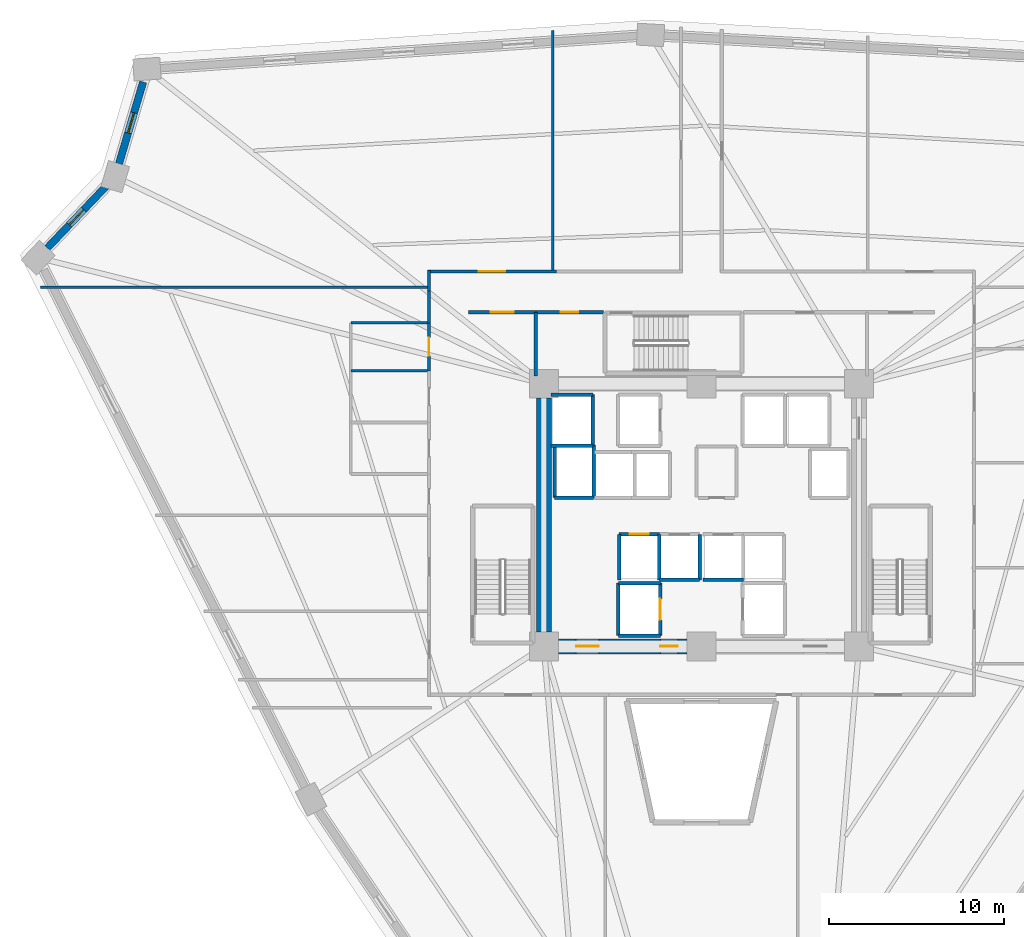
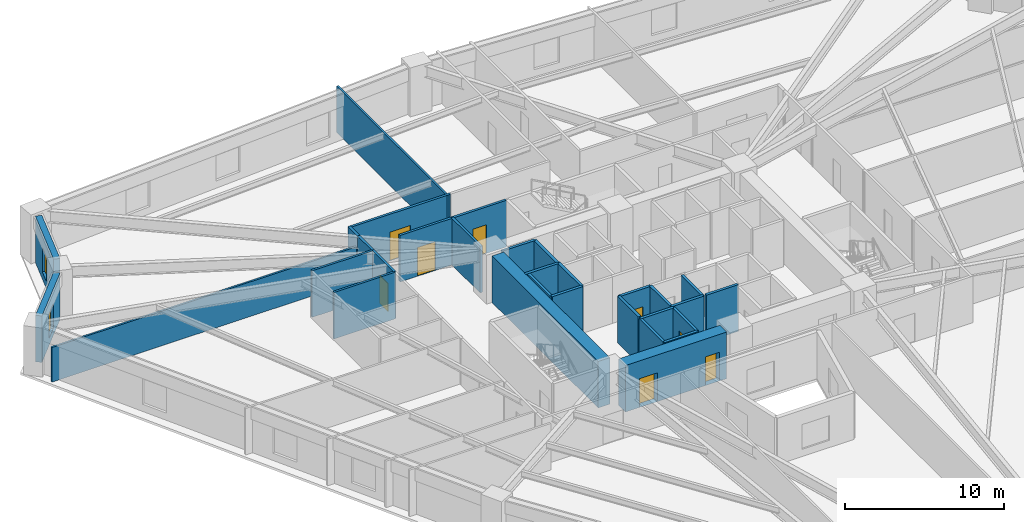
# One storey, part 4 of 8: 31 walls, 8 doors, 2 windows, 10 openings.
"""IFC4 building model written with IfcOpenShell, lengths in metres."""

import ifcopenshell
import ifcopenshell.guid

model = None  # the IFC model being written
_history = None  # IfcOwnerHistory: only IFC2X3 demands one
_inside = {}  # id of a spatial element -> (the spatial element, [elements in it])
_under = {}  # id of a project, library or spatial element -> (it, [spatial elements below it])
_declared = {}  # id of a project -> (the project, [libraries it declares])
_typed = {}  # id of a type object -> (the type object, [elements of that type])
_made_of = {}  # id of a material, layer set ... -> (it, [elements and type objects made of it])


def new_model(schema):
    """Start an empty IFC model of exactly this schema.

    Asked for "IFC4X3", IfcOpenShell would pick the latest addendum, in which some entities
    have other attributes; the version numbers below select the first issue.
    IFC2X3 requires an IfcOwnerHistory on every rooted entity: one is made here for all.
    """
    global model, _history
    if schema == "IFC4X3":
        model = ifcopenshell.file(schema_version=(4, 3, 0, 0))
    else:
        model = ifcopenshell.file(schema=schema)
    _inside.clear()
    _under.clear()
    _declared.clear()
    _typed.clear()
    _made_of.clear()
    _history = None
    if model.schema == "IFC2X3":
        org = make("IfcOrganization", Name="unknown")
        user = make(
            "IfcPersonAndOrganization",
            ThePerson=make("IfcPerson", FamilyName="unknown"),
            TheOrganization=org,
        )
        app = make(
            "IfcApplication",
            ApplicationDeveloper=org,
            Version="unknown",
            ApplicationFullName="unknown",
            ApplicationIdentifier="unknown",
        )
        _history = make(
            "IfcOwnerHistory",
            OwningUser=user,
            OwningApplication=app,
            ChangeAction="ADDED",
            CreationDate=0,
        )
    return model


def make(cls, **values):
    """One entity of the class cls with the attributes given. An attribute that is None is left unset."""
    return model.create_entity(
        cls, **{name: value for name, value in values.items() if value is not None}
    )


def rooted(cls, **values):
    """An entity with a GlobalId (a new one), such as an element, a storey or a relation."""
    return make(cls, GlobalId=ifcopenshell.guid.new(), OwnerHistory=_history, **values)


def si_unit(unit_type, name, prefix=None):
    """IfcSIUnit, for example si_unit("LENGTHUNIT", "METRE", prefix="MILLI")."""
    return make("IfcSIUnit", UnitType=unit_type, Prefix=prefix, Name=name)


def assignment(units):
    """IfcUnitAssignment: the units of a project."""
    return None if units is None else make("IfcUnitAssignment", Units=units)


def point(xyz):
    """IfcCartesianPoint."""
    return None if xyz is None else make("IfcCartesianPoint", Coordinates=xyz)


def direction(xyz):
    """IfcDirection."""
    return None if xyz is None else make("IfcDirection", DirectionRatios=xyz)


def frame(location, z_axis=None, x_axis=None):
    """IfcAxis2Placement3D, a coordinate frame: its origin and axes. An axis left out is left unset."""
    return make(
        "IfcAxis2Placement3D",
        Location=point(location),
        Axis=direction(z_axis),
        RefDirection=direction(x_axis),
    )


def frame_2d(location, x_axis=None):
    """IfcAxis2Placement2D, a coordinate frame in the plane: its origin and x axis."""
    return make(
        "IfcAxis2Placement2D", Location=point(location), RefDirection=direction(x_axis)
    )


def origin():
    """The frame at (0, 0, 0) with its axes left unset."""
    return frame((0.0, 0.0, 0.0))


def place(relative_to, where):
    """IfcLocalPlacement: puts the frame where relative to a parent placement (None: the world)."""
    return make(
        "IfcLocalPlacement", PlacementRelTo=relative_to, RelativePlacement=where
    )


def context(
    kind, dimensions, precision=None, world=None, true_north=None, identifier=None
):
    """IfcGeometricRepresentationContext, for example the 3D "Model" context."""
    return make(
        "IfcGeometricRepresentationContext",
        ContextIdentifier=identifier,
        ContextType=kind,
        CoordinateSpaceDimension=dimensions,
        Precision=precision,
        WorldCoordinateSystem=world,
        TrueNorth=true_north,
    )


def subcontext(parent, identifier, kind, view, scale=None):
    """IfcGeometricRepresentationSubContext, for example "Body" below "Model"."""
    return make(
        "IfcGeometricRepresentationSubContext",
        ContextIdentifier=identifier,
        ContextType=kind,
        ParentContext=parent,
        TargetScale=scale,
        TargetView=view,
    )


def project(units=None, contexts=None):
    """IfcProject with its units and contexts."""
    return rooted(
        "IfcProject",
        Name="project",
        RepresentationContexts=contexts,
        UnitsInContext=assignment(units),
    )


def spatial(cls, under=None, at=None, **own):
    """A site, building, storey or space (cls), placed at a placement, below another one or the project."""
    s = rooted(cls, ObjectPlacement=at, **own)
    if under is not None:
        _under.setdefault(under.id(), (under, []))[1].append(s)
    return s


def profile(cls, at=None, kind="AREA", **sizes):
    """A parametric profile (cls). Its sizes go by their IFC names, for example OverallWidth=200.0."""
    return make(cls, ProfileType=kind, Position=at, **sizes)


def rectangle(**sizes):
    """IfcRectangleProfileDef."""
    return profile("IfcRectangleProfileDef", **sizes)


def extrude(swept, where, along, depth):
    """IfcExtrudedAreaSolid: the profile swept, set in the frame where, extruded along a direction by depth."""
    return make(
        "IfcExtrudedAreaSolid",
        SweptArea=swept,
        Position=where,
        ExtrudedDirection=direction(along),
        Depth=depth,
    )


def shape(context_of_items, identifier, shape_type, items):
    """IfcShapeRepresentation: the items that make up one representation, for example the "Body"."""
    return make(
        "IfcShapeRepresentation",
        ContextOfItems=context_of_items,
        RepresentationIdentifier=identifier,
        RepresentationType=shape_type,
        Items=items,
    )


def source(mapping_origin, context_of_items, identifier, shape_type, items):
    """IfcRepresentationMap: a shape defined once, which mapped items show again and again."""
    return make(
        "IfcRepresentationMap",
        MappingOrigin=mapping_origin,
        MappedRepresentation=shape(context_of_items, identifier, shape_type, items),
    )


def transform(
    local_origin,
    x_axis=None,
    y_axis=None,
    z_axis=None,
    scale=None,
    scale2=None,
    scale3=None,
    uniform=True,
):
    """IfcCartesianTransformationOperator3D, or its non-uniform kind. x_axis, y_axis, z_axis: its Axis1, 2, 3."""
    if uniform:
        return make(
            "IfcCartesianTransformationOperator3D",
            Axis1=direction(x_axis),
            Axis2=direction(y_axis),
            LocalOrigin=point(local_origin),
            Scale=scale,
            Axis3=direction(z_axis),
        )
    return make(
        "IfcCartesianTransformationOperator3DnonUniform",
        Axis1=direction(x_axis),
        Axis2=direction(y_axis),
        LocalOrigin=point(local_origin),
        Scale=scale,
        Axis3=direction(z_axis),
        Scale2=scale2,
        Scale3=scale3,
    )


def mapped(mapping_source, mapping_target):
    """IfcMappedItem: shows the shape of a source again, moved by a transform."""
    return make(
        "IfcMappedItem", MappingSource=mapping_source, MappingTarget=mapping_target
    )


def material(Name=None, Category=None):
    """IfcMaterial."""
    return make("IfcMaterial", Name=Name, Category=Category)


def layer(
    of_material, thickness, ventilated=None, Name=None, Category=None, Priority=None
):
    """IfcMaterialLayer: one layer of a wall or slab, of a material (None: an air gap)."""
    return make(
        "IfcMaterialLayer",
        Material=of_material,
        LayerThickness=thickness,
        IsVentilated=ventilated,
        Name=Name,
        Category=Category,
        Priority=Priority,
    )


def layer_set(layers, Name=None):
    """IfcMaterialLayerSet."""
    return make("IfcMaterialLayerSet", MaterialLayers=layers, LayerSetName=Name)


def made_of(thing, what):
    """Note that an element or type object is made of a material, layer set ...; save() writes the relation."""
    if what is not None:
        _made_of.setdefault(what.id(), (what, []))[1].append(thing)
    return thing


def type_object(cls, material=None, **own):
    """A type object (cls), such as IfcWallType, which elements share."""
    return made_of(rooted(cls, **own), material)


def element(
    cls,
    number,
    at=None,
    inside=None,
    cuts=None,
    type_object=None,
    material=None,
    context=None,
    identifier="Body",
    shape_type=None,
    held_by="IfcProductDefinitionShape",
    body=None,
    shapes=None,
    **own,
):
    """One element of the class cls, such as IfcWall. Its Tag is "e" and its number.

    at: its placement. inside: the storey or other place that contains it. cuts: it is an
    opening in that element (IfcRelVoidsElement). A single representation is given by context,
    identifier, shape_type and body (its items); several are given by shapes. held_by: the class
    of the entity that holds the representations. save() writes the other relations.
    """
    e = rooted(cls, Tag="e%d" % number, ObjectPlacement=at, **own)
    if body is not None:
        shapes = [shape(context, identifier, shape_type, body)]
    if shapes is not None:
        e.Representation = make(held_by, Representations=shapes)
    if inside is not None:
        _inside.setdefault(inside.id(), (inside, []))[1].append(e)
    if cuts is not None:
        rooted(
            "IfcRelVoidsElement", RelatingBuildingElement=cuts, RelatedOpeningElement=e
        )
    if type_object is not None:
        _typed.setdefault(type_object.id(), (type_object, []))[1].append(e)
    return made_of(e, material)


def fill(opening, filler):
    """IfcRelFillsElement: the door or window that sits in an opening."""
    return rooted(
        "IfcRelFillsElement",
        RelatingOpeningElement=opening,
        RelatedBuildingElement=filler,
    )


def aggregate(whole, parts):
    """IfcRelAggregates: a whole, such as a stair, and the parts it consists of."""
    return rooted("IfcRelAggregates", RelatingObject=whole, RelatedObjects=parts)


def save(model, path):
    """Write the relations noted so far, then the file.

    IfcRelAggregates (storeys below a building ...), IfcRelContainedInSpatialStructure (elements
    in a storey), IfcRelDefinesByType, IfcRelAssociatesMaterial and IfcRelDeclares: one each for
    every whole, place, type object, material and project.
    """
    for whole, parts in _under.values():
        aggregate(whole, parts)
    for where, things in _inside.values():
        rooted(
            "IfcRelContainedInSpatialStructure",
            RelatedElements=things,
            RelatingStructure=where,
        )
    for kind, things in _typed.values():
        rooted("IfcRelDefinesByType", RelatedObjects=things, RelatingType=kind)
    for what, things in _made_of.values():
        rooted("IfcRelAssociatesMaterial", RelatedObjects=things, RelatingMaterial=what)
    for by, libraries in _declared.values():
        rooted("IfcRelDeclares", RelatingContext=by, RelatedDefinitions=libraries)
    model.write(path)


model = new_model("IFC4")

# Units and contexts
model_context = context("Model", 3, precision=1e-05, world=origin(), true_north=direction((0.0, 1.0)))
body_context = subcontext(model_context, "Body", "Model", "MODEL_VIEW")
ifc_project = project(units=[si_unit("LENGTHUNIT", "METRE"), si_unit("AREAUNIT", "SQUARE_METRE"), si_unit("VOLUMEUNIT", "CUBIC_METRE"), si_unit("PLANEANGLEUNIT", "RADIAN"), si_unit("MASSUNIT", "GRAM", prefix="KILO")], contexts=[model_context])

# Site, building, storey
site_placement = place(None, origin())
site = spatial("IfcSite", under=ifc_project, at=site_placement, CompositionType="ELEMENT")
building_placement = place(site_placement, origin())
building = spatial("IfcBuilding", under=site, at=building_placement, Name="Liaohun Quay Tower", CompositionType="ELEMENT")
storey_placement = place(building_placement, frame((0.0, 0.0, 78.0)))
storey = spatial("IfcBuildingStorey", under=building, at=storey_placement, Name="L20", CompositionType="ELEMENT", Elevation=78.0)

# Wall, openings, doors
ifc_material_1 = material(Name="Concrete C60", Category="concrete")
ifc_layer_1 = layer(ifc_material_1, 0.85009765625, Name="Concrete C60", Category="concrete")
ifc_layer_set_1 = layer_set([ifc_layer_1], Name="Concrete C60")
wall_type_1 = type_object("IfcWallType", Name="WAL-COR-Z1", PredefinedType="SHEAR", material=ifc_layer_set_1)
wall_1_placement = place(storey_placement, frame((59.175048828125, 46.5, 0.0), z_axis=(0.0, 0.0, 1.0), x_axis=(-1.0, 0.0, 0.0)))
wall_1 = element("IfcWall", 1, at=wall_1_placement, inside=storey, type_object=wall_type_1, Name="L20 Central Core Shear Wall S-W", PredefinedType="SHEAR", context=body_context, shape_type="SweptSolid", body=[
    extrude(rectangle(XDim=7.35009765625, YDim=0.85009765625, at=frame_2d((3.675048828125, 0.0))), origin(), (0.0, 0.0, 1.0), 3.570068359375),
])
shared_shape_1 = source(origin(), body_context, "Body", "SweptSolid", [
    extrude(rectangle(XDim=1.300048828125, YDim=2.199951171875, at=frame_2d((0.64990234375, 1.10009765625))), frame((0.0, 0.43505859375, 0.0), z_axis=(0.0, -1.0, 0.0), x_axis=(1.0, 0.0, 0.0)), (0.0, 0.0, 1.0), 0.8701171875),
])
opening_1_placement = place(wall_1_placement, frame((5.02490234375, 0.0, 0.0)))
opening_1 = element("IfcOpeningElement", 2, at=opening_1_placement, cuts=wall_1, Name="Opening FD1", PredefinedType="OPENING", context=body_context, shape_type="MappedRepresentation", body=[
    mapped(shared_shape_1, transform((0.0, 0.0, 0.0), x_axis=(1.0, 0.0, 0.0), y_axis=(0.0, 1.0, 0.0), z_axis=(0.0, 0.0, 1.0), scale=1.0)),
])
shared_shape_2 = source(origin(), body_context, "Body", "SweptSolid", [
    extrude(rectangle(XDim=1.0, YDim=2.199951171875, at=frame_2d((0.5, 1.10009765625))), frame((0.0, 0.43505859375, 0.0), z_axis=(0.0, -1.0, 0.0), x_axis=(1.0, 0.0, 0.0)), (0.0, 0.0, 1.0), 0.8701171875),
])
opening_2_placement = place(wall_1_placement, frame((0.52490234375, 0.0, 0.0)))
opening_2 = element("IfcOpeningElement", 3, at=opening_2_placement, cuts=wall_1, Name="Opening FD2", PredefinedType="OPENING", context=body_context, shape_type="MappedRepresentation", body=[
    mapped(shared_shape_2, transform((0.0, 0.0, 0.0), x_axis=(1.0, 0.0, 0.0), y_axis=(0.0, 1.0, 0.0), z_axis=(0.0, 0.0, 1.0), scale=1.0)),
])
ifc_material_2 = material(Name="Galvanised steel smokeproof fire door", Category="steel")
door_type_1 = type_object("IfcDoorType", Name="DOR-FFL-1300", OperationType="NOTDEFINED", PredefinedType="DOOR", material=ifc_material_2)
shared_shape_3 = source(origin(), body_context, "Body", "SweptSolid", [
    extrude(rectangle(XDim=1.300048828125, YDim=2.199951171875, at=frame_2d((0.64990234375, 1.10009765625))), frame((0.0, 0.02490234375, 0.0), z_axis=(0.0, -1.0, 0.0), x_axis=(1.0, 0.0, 0.0)), (0.0, 0.0, 1.0), 0.050048828125),
])
door_1_placement = place(opening_1_placement, origin())
door_1 = element("IfcDoor", 4, at=door_1_placement, inside=storey, type_object=door_type_1, Name="L20 West Core Lift Lobby Smokeproof Door", OperationType="SINGLE_SWING_RIGHT", OverallHeight=2.199951171875, OverallWidth=1.300048828125, PredefinedType="DOOR", context=body_context, shape_type="MappedRepresentation", body=[
    mapped(shared_shape_3, transform((0.0, 0.0, 0.0), x_axis=(1.0, 0.0, 0.0), y_axis=(0.0, 1.0, 0.0), z_axis=(0.0, 0.0, 1.0), scale=1.0)),
])
fill(opening_1, door_1)
ifc_material_3 = material(Name="Galvanised steel smokeproof lobby fire door", Category="steel")
door_type_2 = type_object("IfcDoorType", Name="DOR-FFL-1000", OperationType="NOTDEFINED", PredefinedType="DOOR", material=ifc_material_3)
shared_shape_4 = source(origin(), body_context, "Body", "SweptSolid", [
    extrude(rectangle(XDim=1.0, YDim=2.199951171875, at=frame_2d((0.5, 1.10009765625))), frame((0.0, 0.02490234375, 0.0), z_axis=(0.0, -1.0, 0.0), x_axis=(1.0, 0.0, 0.0)), (0.0, 0.0, 1.0), 0.050048828125),
])
door_2_placement = place(opening_2_placement, origin())
door_2 = element("IfcDoor", 5, at=door_2_placement, inside=storey, type_object=door_type_2, Name="L20 South Firefighting Lobby Smokeproof Door", OperationType="SINGLE_SWING_LEFT", OverallHeight=2.199951171875, OverallWidth=1.0, PredefinedType="DOOR", context=body_context, shape_type="MappedRepresentation", body=[
    mapped(shared_shape_4, transform((0.0, 0.0, 0.0), x_axis=(1.0, 0.0, 0.0), y_axis=(0.0, 1.0, 0.0), z_axis=(0.0, 0.0, 1.0), scale=1.0)),
])
fill(opening_2, door_2)

# Wall
wall_2_placement = place(storey_placement, frame((51.0, 47.324951171875, 0.0), z_axis=(0.0, 0.0, 1.0), x_axis=(0.0, 1.0, 0.0)))
element("IfcWall", 6, at=wall_2_placement, inside=storey, type_object=wall_type_1, Name="L20 Central Core Shear Wall W", PredefinedType="SHEAR", context=body_context, shape_type="SweptSolid", body=[
    extrude(rectangle(XDim=13.35009765625, YDim=0.85009765625, at=frame_2d((6.675048828125, 0.0))), origin(), (0.0, 0.0, 1.0), 3.570068359375),
])

# Wall, opening, window
ifc_material_4 = material(Name="Precast concrete C50 insulated sandwich", Category="concrete")
ifc_layer_2 = layer(ifc_material_4, 0.419921875, Name="Precast concrete C50 insulated sandwich", Category="concrete")
ifc_layer_set_2 = layer_set([ifc_layer_2], Name="Precast concrete C50 insulated sandwich")
wall_type_2 = type_object("IfcWallType", Name="WAL-EXT-Z12", PredefinedType="SOLIDWALL", material=ifc_layer_set_2)
wall_3_placement = place(storey_placement, frame((28.1201171875, 78.73291015625, 0.0), z_axis=(0.0, 0.0, 1.0), x_axis=(-0.282885215884, -0.959153770067, 0.0)))
wall_3 = element("IfcWall", 7, at=wall_3_placement, inside=storey, type_object=wall_type_2, Name="L20 Brutalist Precast Pier Wall 08", PredefinedType="SOLIDWALL", context=body_context, shape_type="SweptSolid", body=[
    extrude(rectangle(XDim=4.871826171875, YDim=0.419921875, at=frame_2d((2.43603515625, 0.0))), origin(), (0.0, 0.0, 1.0), 3.570068359375),
])
shared_shape_5 = source(origin(), body_context, "Body", "SweptSolid", [
    extrude(rectangle(XDim=1.199951171875, YDim=1.89990234375, at=frame_2d((0.60009765625, 0.949951171875))), frame((0.0, 0.219970703125, 0.0), z_axis=(0.0, -1.0, 0.0), x_axis=(1.0, 0.0, 0.0)), (0.0, 0.0, 1.0), 0.43994140625),
])
opening_3_placement = place(wall_3_placement, frame((1.8359375, 0.0, 0.550048828125)))
opening_3 = element("IfcOpeningElement", 8, at=opening_3_placement, cuts=wall_3, Name="Opening W05", PredefinedType="OPENING", context=body_context, shape_type="MappedRepresentation", body=[
    mapped(shared_shape_5, transform((0.0, 0.0, 0.0), x_axis=(1.0, 0.0, 0.0), y_axis=(0.0, 1.0, 0.0), z_axis=(0.0, 0.0, 1.0), scale=1.0)),
])
ifc_material_5 = material(Name="Triple Low-E corner notch glazing", Category="glass")
window_type = type_object("IfcWindowType", Name="WIN-NOTCH", PartitioningType="SINGLE_PANEL", PredefinedType="WINDOW", material=ifc_material_5)
shared_shape_6 = source(origin(), body_context, "Body", "SweptSolid", [
    extrude(rectangle(XDim=1.199951171875, YDim=1.89990234375, at=frame_2d((0.60009765625, 0.949951171875))), frame((0.0, 0.030029296875, 0.0), z_axis=(0.0, -1.0, 0.0), x_axis=(1.0, 0.0, 0.0)), (0.0, 0.0, 1.0), 0.06005859375),
])
window_1_placement = place(opening_3_placement, origin())
window_1 = element("IfcWindow", 9, at=window_1_placement, inside=storey, type_object=window_type, Name="L20 Corner Notch Window W05-08", OverallHeight=1.89990234375, OverallWidth=1.199951171875, PartitioningType="SINGLE_PANEL", PredefinedType="WINDOW", context=body_context, shape_type="MappedRepresentation", body=[
    mapped(shared_shape_6, transform((0.0, 0.0, 0.0), x_axis=(1.0, 0.0, 0.0), y_axis=(0.0, 1.0, 0.0), z_axis=(0.0, 0.0, 1.0), scale=1.0)),
])
fill(opening_3, window_1)

wall_4_placement = place(storey_placement, frame((25.9990234375, 72.77197265625, 0.0), z_axis=(0.0, 0.0, 1.0), x_axis=(-0.689326835279, -0.724450491175, 0.0)))
wall_4 = element("IfcWall", 10, at=wall_4_placement, inside=storey, type_object=wall_type_2, Name="L20 Brutalist Precast Pier Wall 09", PredefinedType="SOLIDWALL", context=body_context, shape_type="SweptSolid", body=[
    extrude(rectangle(XDim=4.86572265625, YDim=0.419921875, at=frame_2d((2.432861328125, 0.0))), origin(), (0.0, 0.0, 1.0), 3.570068359375),
])
opening_4_placement = place(wall_4_placement, frame((1.8330078125, 0.0, 0.550048828125)))
opening_4 = element("IfcOpeningElement", 11, at=opening_4_placement, cuts=wall_4, Name="Opening W05", PredefinedType="OPENING", context=body_context, shape_type="MappedRepresentation", body=[
    mapped(shared_shape_5, transform((0.0, 0.0, 0.0), x_axis=(1.0, 0.0, 0.0), y_axis=(0.0, 1.0, 0.0), z_axis=(0.0, 0.0, 1.0), scale=1.0)),
])
window_2_placement = place(opening_4_placement, origin())
window_2 = element("IfcWindow", 12, at=window_2_placement, inside=storey, type_object=window_type, Name="L20 Corner Notch Window W05-09", OverallHeight=1.89990234375, OverallWidth=1.199951171875, PartitioningType="SINGLE_PANEL", PredefinedType="WINDOW", context=body_context, shape_type="MappedRepresentation", body=[
    mapped(shared_shape_6, transform((0.0, 0.0, 0.0), x_axis=(1.0, 0.0, 0.0), y_axis=(0.0, 1.0, 0.0), z_axis=(0.0, 0.0, 1.0), scale=1.0)),
])
fill(opening_4, window_2)

# Wall, opening, door
ifc_material_6 = material(Name="Autoclaved aerated concrete blockwork", Category="masonry")
ifc_layer_3 = layer(ifc_material_6, 0.179931640625, Name="Autoclaved aerated concrete blockwork", Category="masonry")
ifc_layer_set_3 = layer_set([ifc_layer_3], Name="Autoclaved aerated concrete blockwork")
wall_type_3 = type_object("IfcWallType", Name="WAL-PRT-COR", PredefinedType="PARTITIONING", material=ifc_layer_set_3)
wall_5_placement = place(storey_placement, frame((50.5400390625, 65.580078125, 0.0), z_axis=(0.0, 0.0, 1.0), x_axis=(1.0, 0.0, 0.0)))
wall_5 = element("IfcWall", 13, at=wall_5_placement, inside=storey, type_object=wall_type_3, Name="L20 Interior Partition Wall 005", PredefinedType="PARTITIONING", context=body_context, shape_type="SweptSolid", body=[
    extrude(rectangle(XDim=3.869873046875, YDim=0.179931640625, at=frame_2d((1.93505859375, 0.0))), origin(), (0.0, 0.0, 1.0), 3.570068359375),
])
shared_shape_7 = source(origin(), body_context, "Body", "SweptSolid", [
    extrude(rectangle(XDim=1.0, YDim=2.199951171875, at=frame_2d((0.5, 1.10009765625))), frame((0.0, 0.099853515625, 0.0), z_axis=(0.0, -1.0, 0.0), x_axis=(1.0, 0.0, 0.0)), (0.0, 0.0, 1.0), 0.199951171875),
])
opening_5_placement = place(wall_5_placement, frame((1.43505859375, 0.0, 0.0)))
opening_5 = element("IfcOpeningElement", 14, at=opening_5_placement, cuts=wall_5, Name="Opening OD1", PredefinedType="OPENING", context=body_context, shape_type="MappedRepresentation", body=[
    mapped(shared_shape_7, transform((0.0, 0.0, 0.0), x_axis=(1.0, 0.0, 0.0), y_axis=(0.0, 1.0, 0.0), z_axis=(0.0, 0.0, 1.0), scale=1.0)),
])
ifc_material_7 = material(Name="Solid-core oak veneer timber leaf in steel frame", Category="steel")
door_type_3 = type_object("IfcDoorType", Name="DOR-OFF-1000", OperationType="NOTDEFINED", PredefinedType="DOOR", material=ifc_material_7)
door_3_placement = place(opening_5_placement, origin())
door_3 = element("IfcDoor", 15, at=door_3_placement, inside=storey, type_object=door_type_3, Name="L20 North-West Print and Telecom Room Door", OperationType="SINGLE_SWING_LEFT", OverallHeight=2.199951171875, OverallWidth=1.0, PredefinedType="DOOR", context=body_context, shape_type="MappedRepresentation", body=[
    mapped(shared_shape_4, transform((0.0, 0.0, 0.0), x_axis=(1.0, 0.0, 0.0), y_axis=(0.0, 1.0, 0.0), z_axis=(0.0, 0.0, 1.0), scale=1.0)),
])
fill(opening_5, door_3)

wall_6_placement = place(storey_placement, frame((46.699951171875, 65.580078125, 0.0), z_axis=(0.0, 0.0, 1.0), x_axis=(1.0, 0.0, 0.0)))
wall_6 = element("IfcWall", 16, at=wall_6_placement, inside=storey, type_object=wall_type_3, Name="L20 Interior Partition Wall 007", PredefinedType="PARTITIONING", context=body_context, shape_type="SweptSolid", body=[
    extrude(rectangle(XDim=3.840087890625, YDim=0.179931640625, at=frame_2d((1.919921875, 0.0))), origin(), (0.0, 0.0, 1.0), 3.570068359375),
])
shared_shape_8 = source(origin(), body_context, "Body", "SweptSolid", [
    extrude(rectangle(XDim=1.300048828125, YDim=2.199951171875, at=frame_2d((0.64990234375, 1.10009765625))), frame((0.0, 0.099853515625, 0.0), z_axis=(0.0, -1.0, 0.0), x_axis=(1.0, 0.0, 0.0)), (0.0, 0.0, 1.0), 0.199951171875),
])
opening_6_placement = place(wall_6_placement, frame((1.27001953125, 0.0, 0.0)))
opening_6 = element("IfcOpeningElement", 17, at=opening_6_placement, cuts=wall_6, Name="Opening FD1", PredefinedType="OPENING", context=body_context, shape_type="MappedRepresentation", body=[
    mapped(shared_shape_8, transform((0.0, 0.0, 0.0), x_axis=(1.0, 0.0, 0.0), y_axis=(0.0, 1.0, 0.0), z_axis=(0.0, 0.0, 1.0), scale=1.0)),
])
door_4_placement = place(opening_6_placement, origin())
door_4 = element("IfcDoor", 18, at=door_4_placement, inside=storey, type_object=door_type_1, Name="L20 West Core Vestibule Door", OperationType="SINGLE_SWING_LEFT", OverallHeight=2.199951171875, OverallWidth=1.300048828125, PredefinedType="DOOR", context=body_context, shape_type="MappedRepresentation", body=[
    mapped(shared_shape_3, transform((0.0, 0.0, 0.0), x_axis=(1.0, 0.0, 0.0), y_axis=(0.0, 1.0, 0.0), z_axis=(0.0, 0.0, 1.0), scale=1.0)),
])
fill(opening_6, door_4)

wall_7_placement = place(storey_placement, frame((44.3701171875, 67.909912109375, 0.0), z_axis=(0.0, 0.0, 1.0), x_axis=(1.0, 0.0, 0.0)))
wall_7 = element("IfcWall", 19, at=wall_7_placement, inside=storey, type_object=wall_type_3, Name="L20 Interior Partition Wall 015", PredefinedType="PARTITIONING", context=body_context, shape_type="SweptSolid", body=[
    extrude(rectangle(XDim=7.344970703125, YDim=0.179931640625, at=frame_2d((3.67236328125, 0.0))), origin(), (0.0, 0.0, 1.0), 3.570068359375),
])
shared_shape_9 = source(origin(), body_context, "Body", "SweptSolid", [
    extrude(rectangle(XDim=1.5, YDim=2.199951171875, at=frame_2d((0.75, 1.10009765625))), frame((0.0, 0.099853515625, 0.0), z_axis=(0.0, -1.0, 0.0), x_axis=(1.0, 0.0, 0.0)), (0.0, 0.0, 1.0), 0.199951171875),
])
opening_7_placement = place(wall_7_placement, frame((2.923095703125, 0.0, 0.0)))
opening_7 = element("IfcOpeningElement", 20, at=opening_7_placement, cuts=wall_7, Name="Opening OD2", PredefinedType="OPENING", context=body_context, shape_type="MappedRepresentation", body=[
    mapped(shared_shape_9, transform((0.0, 0.0, 0.0), x_axis=(1.0, 0.0, 0.0), y_axis=(0.0, 1.0, 0.0), z_axis=(0.0, 0.0, 1.0), scale=1.0)),
])
ifc_material_8 = material(Name="Acoustic oak veneer double door")
door_type_4 = type_object("IfcDoorType", Name="DOR-OFF-1500", OperationType="DOUBLE_DOOR_SINGLE_SWING", PredefinedType="DOOR", material=ifc_material_8)
shared_shape_10 = source(origin(), body_context, "Body", "SweptSolid", [
    extrude(rectangle(XDim=1.5, YDim=2.199951171875, at=frame_2d((0.75, 1.10009765625))), frame((0.0, 0.02490234375, 0.0), z_axis=(0.0, -1.0, 0.0), x_axis=(1.0, 0.0, 0.0)), (0.0, 0.0, 1.0), 0.050048828125),
])
door_5_placement = place(opening_7_placement, origin())
door_5 = element("IfcDoor", 21, at=door_5_placement, inside=storey, type_object=door_type_4, Name="L20 Architectural Design Studio 07 Door", OperationType="DOUBLE_DOOR_SINGLE_SWING", OverallHeight=2.199951171875, OverallWidth=1.5, PredefinedType="DOOR", context=body_context, shape_type="MappedRepresentation", body=[
    mapped(shared_shape_10, transform((0.0, 0.0, 0.0), x_axis=(1.0, 0.0, 0.0), y_axis=(0.0, 1.0, 0.0), z_axis=(0.0, 0.0, 1.0), scale=1.0)),
])
fill(opening_7, door_5)

# Walls
wall_8_placement = place(storey_placement, frame((50.5400390625, 61.949951171875, 0.0), z_axis=(0.0, 0.0, 1.0), x_axis=(0.0, 1.0, 0.0)))
element("IfcWall", 22, at=wall_8_placement, inside=storey, type_object=wall_type_3, Name="L20 Interior Partition Wall 031", PredefinedType="PARTITIONING", context=body_context, shape_type="SweptSolid", body=[
    extrude(rectangle(XDim=3.630126953125, YDim=0.179931640625, at=frame_2d((1.81494140625, 0.0))), origin(), (0.0, 0.0, 1.0), 3.570068359375),
])
wall_9_placement = place(storey_placement, frame((44.43994140625, 66.784912109375, 0.0), z_axis=(0.0, 0.0, 1.0), x_axis=(0.0, 1.0, 0.0)))
element("IfcWall", 23, at=wall_9_placement, inside=storey, type_object=wall_type_3, Name="L20 Interior Partition Wall 036", PredefinedType="PARTITIONING", context=body_context, shape_type="SweptSolid", body=[
    extrude(rectangle(XDim=1.195068359375, YDim=0.179931640625, at=frame_2d((0.59765625, 0.0))), origin(), (0.0, 0.0, 1.0), 3.570068359375),
])
wall_10_placement = place(storey_placement, frame((44.43994140625, 64.97998046875, 0.0), z_axis=(0.0, 0.0, 1.0), x_axis=(0.0, 1.0, 0.0)))
element("IfcWall", 24, at=wall_10_placement, inside=storey, type_object=wall_type_3, Name="L20 Interior Partition Wall 037", PredefinedType="PARTITIONING", context=body_context, shape_type="SweptSolid", body=[
    extrude(rectangle(XDim=1.804931640625, YDim=0.179931640625, at=frame_2d((0.90234375, 0.0))), origin(), (0.0, 0.0, 1.0), 3.570068359375),
])
ifc_material_9 = material(Name="Gypsum board on twin steel studs", Category="steel")
ifc_layer_4 = layer(ifc_material_9, 0.139892578125, Name="Gypsum board on twin steel studs", Category="steel")
ifc_layer_set_4 = layer_set([ifc_layer_4], Name="Gypsum board on twin steel studs")
wall_type_4 = type_object("IfcWallType", Name="WAL-PRT-OFF", PredefinedType="PARTITIONING", material=ifc_layer_set_4)
wall_11_placement = place(storey_placement, frame((44.5400390625, 67.0, 0.0), z_axis=(0.0, 0.0, 1.0), x_axis=(-1.0, 0.0, 0.0)))
element("IfcWall", 25, at=wall_11_placement, inside=storey, type_object=wall_type_4, Name="L20 Interior Partition Wall 044", PredefinedType="PARTITIONING", context=body_context, shape_type="SweptSolid", body=[
    extrude(rectangle(XDim=22.27392578125, YDim=0.139892578125, at=frame_2d((11.136962890625, 0.0))), origin(), (0.0, 0.0, 1.0), 2.655029296875),
])
wall_12_placement = place(storey_placement, frame((51.5, 67.81005859375, 0.0), z_axis=(0.0, 0.0, 1.0), x_axis=(0.0, 1.0, 0.0)))
element("IfcWall", 26, at=wall_12_placement, inside=storey, type_object=wall_type_4, Name="L20 Interior Partition Wall 050", PredefinedType="PARTITIONING", context=body_context, shape_type="SweptSolid", body=[
    extrude(rectangle(XDim=13.85986328125, YDim=0.139892578125, at=frame_2d((6.929931640625, 0.0))), origin(), (0.0, 0.0, 1.0), 3.570068359375),
])

# Wall, opening, door
ifc_material_10 = material(Name="Moisture-resistant masonry blockwork", Category="masonry")
ifc_layer_5 = layer(ifc_material_10, 0.159912109375, Name="Moisture-resistant masonry blockwork", Category="masonry")
ifc_layer_set_5 = layer_set([ifc_layer_5], Name="Moisture-resistant masonry blockwork")
wall_type_5 = type_object("IfcWallType", Name="WAL-PRT-WET", PredefinedType="PARTITIONING", material=ifc_layer_set_5)
wall_13_placement = place(storey_placement, frame((44.43994140625, 62.239990234375, 0.0), z_axis=(0.0, 0.0, 1.0), x_axis=(0.0, 1.0, 0.0)))
wall_13 = element("IfcWall", 27, at=wall_13_placement, inside=storey, type_object=wall_type_5, Name="L20 Interior Partition Wall 004", PredefinedType="PARTITIONING", context=body_context, shape_type="SweptSolid", body=[
    extrude(rectangle(XDim=2.739990234375, YDim=0.159912109375, at=frame_2d((1.3701171875, 0.0))), origin(), (0.0, 0.0, 1.0), 3.570068359375),
])
shared_shape_11 = source(origin(), body_context, "Body", "SweptSolid", [
    extrude(rectangle(XDim=1.050048828125, YDim=2.14990234375, at=frame_2d((0.52490234375, 1.074951171875))), frame((0.0, 0.08984375, 0.0), z_axis=(0.0, -1.0, 0.0), x_axis=(1.0, 0.0, 0.0)), (0.0, 0.0, 1.0), 0.179931640625),
])
opening_8_placement = place(wall_13_placement, frame((0.844970703125, 0.0, 0.0)))
opening_8 = element("IfcOpeningElement", 28, at=opening_8_placement, cuts=wall_13, Name="Opening WD2", PredefinedType="OPENING", context=body_context, shape_type="MappedRepresentation", body=[
    mapped(shared_shape_11, transform((0.0, 0.0, 0.0), x_axis=(1.0, 0.0, 0.0), y_axis=(0.0, 1.0, 0.0), z_axis=(0.0, 0.0, 1.0), scale=1.0)),
])
ifc_material_11 = material(Name="Accessible outward-swinging laminate door")
door_type_5 = type_object("IfcDoorType", Name="DOR-AWC-1050", OperationType="NOTDEFINED", PredefinedType="DOOR", material=ifc_material_11)
shared_shape_12 = source(origin(), body_context, "Body", "SweptSolid", [
    extrude(rectangle(XDim=1.050048828125, YDim=2.14990234375, at=frame_2d((0.52490234375, 1.074951171875))), frame((0.0, 0.02490234375, 0.0), z_axis=(0.0, -1.0, 0.0), x_axis=(1.0, 0.0, 0.0)), (0.0, 0.0, 1.0), 0.050048828125),
])
door_6_placement = place(opening_8_placement, origin())
door_6 = element("IfcDoor", 29, at=door_6_placement, inside=storey, type_object=door_type_5, Name="L20 Accessible WC Door", OperationType="SINGLE_SWING_RIGHT", OverallHeight=2.14990234375, OverallWidth=1.050048828125, PredefinedType="DOOR", context=body_context, shape_type="MappedRepresentation", body=[
    mapped(shared_shape_12, transform((0.0, 0.0, 0.0), x_axis=(1.0, 0.0, 0.0), y_axis=(0.0, 1.0, 0.0), z_axis=(0.0, 0.0, 1.0), scale=1.0)),
])
fill(opening_8, door_6)

# Walls
for number, where, z_axis, x_axis, name in (
    (30, (39.97998046875, 62.239990234375, 0.0), (0.0, 0.0, 1.0), (1.0, 0.0, 0.0), "L20 Interior Partition Wall 029"),
    (31, (39.97998046875, 64.97998046875, 0.0), (0.0, 0.0, 1.0), (1.0, 0.0, 0.0), "L20 Interior Partition Wall 030"),
):
    element("IfcWall", number, at=place(storey_placement, frame(where, z_axis=z_axis, x_axis=x_axis)), inside=storey, type_object=wall_type_5, Name=name, PredefinedType="PARTITIONING", context=body_context, shape_type="SweptSolid", body=[
        extrude(rectangle(XDim=4.4599609375, YDim=0.159912109375, at=frame_2d((2.22998046875, 0.0))), origin(), (0.0, 0.0, 1.0), 3.570068359375),
    ])
ifc_material_12 = material(Name="Concrete C50", Category="concrete")
ifc_layer_6 = layer(ifc_material_12, 0.239990234375, Name="Concrete C50", Category="concrete")
ifc_layer_set_6 = layer_set([ifc_layer_6], Name="Concrete C50")
wall_type_6 = type_object("IfcWallType", Name="WAL-SHF-200", PredefinedType="SOLIDWALL", material=ifc_layer_set_6)
wall_14_placement = place(storey_placement, frame((55.25, 47.1201171875, 0.0), z_axis=(0.0, 0.0, 1.0), x_axis=(1.0, 0.0, 0.0)))
element("IfcWall", 32, at=wall_14_placement, inside=storey, type_object=wall_type_6, Name="L20 Lift FF-01 Hoistway Wall S", PredefinedType="SOLIDWALL", context=body_context, shape_type="SweptSolid", body=[
    extrude(rectangle(XDim=2.39990234375, YDim=0.199951171875, at=frame_2d((1.199951171875, 0.0))), origin(), (0.0, 0.0, 1.0), 3.570068359375),
])

# Wall, opening, door
wall_15_placement = place(storey_placement, frame((57.64990234375, 47.1201171875, 0.0), z_axis=(0.0, 0.0, 1.0), x_axis=(0.0, 1.0, 0.0)))
wall_15 = element("IfcWall", 33, at=wall_15_placement, inside=storey, type_object=wall_type_6, Name="L20 Lift FF-01 Hoistway Wall E", PredefinedType="SOLIDWALL", context=body_context, shape_type="SweptSolid", body=[
    extrude(rectangle(XDim=3.0, YDim=0.199951171875, at=frame_2d((1.5, 0.0))), origin(), (0.0, 0.0, 1.0), 3.570068359375),
])
shared_shape_13 = source(origin(), body_context, "Body", "SweptSolid", [
    extrude(rectangle(XDim=1.199951171875, YDim=2.300048828125, at=frame_2d((0.60009765625, 1.14990234375))), frame((0.0, 0.10986328125, 0.0), z_axis=(0.0, -1.0, 0.0), x_axis=(1.0, 0.0, 0.0)), (0.0, 0.0, 1.0), 0.219970703125),
])
opening_9_placement = place(wall_15_placement, frame((0.89990234375, 0.0, 0.0)))
opening_9 = element("IfcOpeningElement", 34, at=opening_9_placement, cuts=wall_15, Name="Opening LD2", PredefinedType="OPENING", context=body_context, shape_type="MappedRepresentation", body=[
    mapped(shared_shape_13, transform((0.0, 0.0, 0.0), x_axis=(1.0, 0.0, 0.0), y_axis=(0.0, 1.0, 0.0), z_axis=(0.0, 0.0, 1.0), scale=1.0)),
])
ifc_material_13 = material(Name="Brushed stainless steel stretcher landing door", Category="steel")
door_type_6 = type_object("IfcDoorType", Name="DOR-LFT-1200", OperationType="SLIDING_TO_LEFT", PredefinedType="DOOR", material=ifc_material_13)
shared_shape_14 = source(origin(), body_context, "Body", "SweptSolid", [
    extrude(rectangle(XDim=1.199951171875, YDim=2.300048828125, at=frame_2d((0.60009765625, 1.14990234375))), frame((0.0, 0.02490234375, 0.0), z_axis=(0.0, -1.0, 0.0), x_axis=(1.0, 0.0, 0.0)), (0.0, 0.0, 1.0), 0.050048828125),
])
door_7_placement = place(opening_9_placement, origin())
door_7 = element("IfcDoor", 35, at=door_7_placement, inside=storey, type_object=door_type_6, Name="L20 Lift FF-01 Sliding Landing Door", OperationType="SLIDING_TO_LEFT", OverallHeight=2.300048828125, OverallWidth=1.199951171875, PredefinedType="DOOR", context=body_context, shape_type="MappedRepresentation", body=[
    mapped(shared_shape_14, transform((0.0, 0.0, 0.0), x_axis=(1.0, 0.0, 0.0), y_axis=(0.0, 1.0, 0.0), z_axis=(0.0, 0.0, 1.0), scale=1.0)),
])
fill(opening_9, door_7)

# Walls
wall_16_placement = place(storey_placement, frame((57.64990234375, 50.1201171875, 0.0), z_axis=(0.0, 0.0, 1.0), x_axis=(-1.0, 0.0, 0.0)))
element("IfcWall", 36, at=wall_16_placement, inside=storey, type_object=wall_type_6, Name="L20 Lift FF-01 Hoistway Wall N", PredefinedType="SOLIDWALL", context=body_context, shape_type="SweptSolid", body=[
    extrude(rectangle(XDim=2.39990234375, YDim=0.199951171875, at=frame_2d((1.199951171875, 0.0))), origin(), (0.0, 0.0, 1.0), 3.570068359375),
])
wall_17_placement = place(storey_placement, frame((55.25, 50.1201171875, 0.0), z_axis=(0.0, 0.0, 1.0), x_axis=(0.0, -1.0, 0.0)))
element("IfcWall", 37, at=wall_17_placement, inside=storey, type_object=wall_type_6, Name="L20 Lift FF-01 Hoistway Wall W", PredefinedType="SOLIDWALL", context=body_context, shape_type="SweptSolid", body=[
    extrude(rectangle(XDim=3.0, YDim=0.199951171875, at=frame_2d((1.5, 0.0))), origin(), (0.0, 0.0, 1.0), 3.570068359375),
])
wall_18_placement = place(storey_placement, frame((51.39990234375, 57.949951171875, 0.0), z_axis=(0.0, 0.0, 1.0), x_axis=(1.0, 0.0, 0.0)))
element("IfcWall", 38, at=wall_18_placement, inside=storey, type_object=wall_type_6, Name="L20 Lift SH-01 Hoistway Wall S", PredefinedType="SOLIDWALL", context=body_context, shape_type="SweptSolid", body=[
    extrude(rectangle(XDim=2.400146484375, YDim=0.199951171875, at=frame_2d((1.2001953125, 0.0))), origin(), (0.0, 0.0, 1.0), 3.570068359375),
])
wall_19_placement = place(storey_placement, frame((53.800048828125, 57.949951171875, 0.0), z_axis=(0.0, 0.0, 1.0), x_axis=(0.0, 1.0, 0.0)))
element("IfcWall", 39, at=wall_19_placement, inside=storey, type_object=wall_type_6, Name="L20 Lift SH-01 Hoistway Wall E", PredefinedType="SOLIDWALL", context=body_context, shape_type="SweptSolid", body=[
    extrude(rectangle(XDim=2.929931640625, YDim=0.199951171875, at=frame_2d((1.46484375, 0.0))), origin(), (0.0, 0.0, 1.0), 3.570068359375),
])
wall_20_placement = place(storey_placement, frame((53.800048828125, 60.8798828125, 0.0), z_axis=(0.0, 0.0, 1.0), x_axis=(-1.0, 0.0, 0.0)))
element("IfcWall", 40, at=wall_20_placement, inside=storey, type_object=wall_type_6, Name="L20 Lift SH-01 Hoistway Wall N", PredefinedType="SOLIDWALL", context=body_context, shape_type="SweptSolid", body=[
    extrude(rectangle(XDim=2.400146484375, YDim=0.199951171875, at=frame_2d((1.2001953125, 0.0))), origin(), (0.0, 0.0, 1.0), 3.570068359375),
])
wall_21_placement = place(storey_placement, frame((51.6201171875, 55.0, 0.0), z_axis=(0.0, 0.0, 1.0), x_axis=(1.0, 0.0, 0.0)))
element("IfcWall", 41, at=wall_21_placement, inside=storey, type_object=wall_type_6, Name="L20 Lift SH-02 Hoistway Wall S", PredefinedType="SOLIDWALL", context=body_context, shape_type="SweptSolid", body=[
    extrude(rectangle(XDim=2.22998046875, YDim=0.199951171875, at=frame_2d((1.114990234375, 0.0))), origin(), (0.0, 0.0, 1.0), 3.570068359375),
])
for number, where, z_axis, x_axis, name in (
    (42, (53.85009765625, 55.0, 0.0), (0.0, 0.0, 1.0), (0.0, 1.0, 0.0), "L20 Lift SH-02 Hoistway Wall E"),
    (43, (51.6201171875, 58.0, 0.0), (0.0, 0.0, 1.0), (0.0, -1.0, 0.0), "L20 Lift SH-02 Hoistway Wall W"),
):
    element("IfcWall", number, at=place(storey_placement, frame(where, z_axis=z_axis, x_axis=x_axis)), inside=storey, type_object=wall_type_6, Name=name, PredefinedType="SOLIDWALL", context=body_context, shape_type="SweptSolid", body=[
        extrude(rectangle(XDim=3.0, YDim=0.199951171875, at=frame_2d((1.5, 0.0))), origin(), (0.0, 0.0, 1.0), 3.570068359375),
    ])
wall_22_placement = place(storey_placement, frame((57.60009765625, 50.300048828125, 0.0), z_axis=(0.0, 0.0, 1.0), x_axis=(0.0, 1.0, 0.0)))
element("IfcWall", 44, at=wall_22_placement, inside=storey, type_object=wall_type_6, Name="L20 Lift PL-1A Hoistway Wall E", PredefinedType="SOLIDWALL", context=body_context, shape_type="SweptSolid", body=[
    extrude(rectangle(XDim=2.599853515625, YDim=0.199951171875, at=frame_2d((1.2998046875, 0.0))), origin(), (0.0, 0.0, 1.0), 3.570068359375),
])

# Wall, opening, door
wall_23_placement = place(storey_placement, frame((57.60009765625, 52.89990234375, 0.0), z_axis=(0.0, 0.0, 1.0), x_axis=(-1.0, 0.0, 0.0)))
wall_23 = element("IfcWall", 45, at=wall_23_placement, inside=storey, type_object=wall_type_6, Name="L20 Lift PL-1A Hoistway Wall N", PredefinedType="SOLIDWALL", context=body_context, shape_type="SweptSolid", body=[
    extrude(rectangle(XDim=2.300048828125, YDim=0.199951171875, at=frame_2d((1.14990234375, 0.0))), origin(), (0.0, 0.0, 1.0), 3.570068359375),
])
shared_shape_15 = source(origin(), body_context, "Body", "SweptSolid", [
    extrude(rectangle(XDim=1.10009765625, YDim=2.199951171875, at=frame_2d((0.550048828125, 1.10009765625))), frame((0.0, 0.10986328125, 0.0), z_axis=(0.0, -1.0, 0.0), x_axis=(1.0, 0.0, 0.0)), (0.0, 0.0, 1.0), 0.219970703125),
])
opening_10_placement = place(wall_23_placement, frame((0.60009765625, 0.0, 0.0)))
opening_10 = element("IfcOpeningElement", 46, at=opening_10_placement, cuts=wall_23, Name="Opening LD1", PredefinedType="OPENING", context=body_context, shape_type="MappedRepresentation", body=[
    mapped(shared_shape_15, transform((0.0, 0.0, 0.0), x_axis=(1.0, 0.0, 0.0), y_axis=(0.0, 1.0, 0.0), z_axis=(0.0, 0.0, 1.0), scale=1.0)),
])
ifc_material_14 = material(Name="Brushed stainless steel landing door", Category="steel")
door_type_7 = type_object("IfcDoorType", Name="DOR-LFT-1100", OperationType="SLIDING_TO_LEFT", PredefinedType="DOOR", material=ifc_material_14)
shared_shape_16 = source(origin(), body_context, "Body", "SweptSolid", [
    extrude(rectangle(XDim=1.10009765625, YDim=2.199951171875, at=frame_2d((0.550048828125, 1.10009765625))), frame((0.0, 0.02490234375, 0.0), z_axis=(0.0, -1.0, 0.0), x_axis=(1.0, 0.0, 0.0)), (0.0, 0.0, 1.0), 0.050048828125),
])
door_8_placement = place(opening_10_placement, origin())
door_8 = element("IfcDoor", 47, at=door_8_placement, inside=storey, type_object=door_type_7, Name="L20 Lift PL-1A Sliding Landing Door", OperationType="SLIDING_TO_LEFT", OverallHeight=2.199951171875, OverallWidth=1.10009765625, PredefinedType="DOOR", context=body_context, shape_type="MappedRepresentation", body=[
    mapped(shared_shape_16, transform((0.0, 0.0, 0.0), x_axis=(1.0, 0.0, 0.0), y_axis=(0.0, 1.0, 0.0), z_axis=(0.0, 0.0, 1.0), scale=1.0)),
])
fill(opening_10, door_8)

# Walls
wall_24_placement = place(storey_placement, frame((55.300048828125, 52.89990234375, 0.0), z_axis=(0.0, 0.0, 1.0), x_axis=(0.0, -1.0, 0.0)))
element("IfcWall", 48, at=wall_24_placement, inside=storey, type_object=wall_type_6, Name="L20 Lift PL-1A Hoistway Wall W", PredefinedType="SOLIDWALL", context=body_context, shape_type="SweptSolid", body=[
    extrude(rectangle(XDim=2.599853515625, YDim=0.199951171875, at=frame_2d((1.2998046875, 0.0))), origin(), (0.0, 0.0, 1.0), 3.570068359375),
])
wall_25_placement = place(storey_placement, frame((57.60009765625, 50.300048828125, 0.0), z_axis=(0.0, 0.0, 1.0), x_axis=(1.0, 0.0, 0.0)))
element("IfcWall", 49, at=wall_25_placement, inside=storey, type_object=wall_type_6, Name="L20 Lift PL-1B Hoistway Wall S", PredefinedType="SOLIDWALL", context=body_context, shape_type="SweptSolid", body=[
    extrude(rectangle(XDim=2.2998046875, YDim=0.199951171875, at=frame_2d((1.14990234375, 0.0))), origin(), (0.0, 0.0, 1.0), 3.570068359375),
])
wall_26_placement = place(storey_placement, frame((59.89990234375, 50.300048828125, 0.0), z_axis=(0.0, 0.0, 1.0), x_axis=(0.0, 1.0, 0.0)))
element("IfcWall", 50, at=wall_26_placement, inside=storey, type_object=wall_type_6, Name="L20 Lift PL-1B Hoistway Wall E", PredefinedType="SOLIDWALL", context=body_context, shape_type="SweptSolid", body=[
    extrude(rectangle(XDim=2.599853515625, YDim=0.199951171875, at=frame_2d((1.2998046875, 0.0))), origin(), (0.0, 0.0, 1.0), 3.570068359375),
])
wall_27_placement = place(storey_placement, frame((60.10009765625, 50.300048828125, 0.0), z_axis=(0.0, 0.0, 1.0), x_axis=(1.0, 0.0, 0.0)))
element("IfcWall", 51, at=wall_27_placement, inside=storey, type_object=wall_type_6, Name="L20 Lift PL-1C Hoistway Wall S", PredefinedType="SOLIDWALL", context=body_context, shape_type="SweptSolid", body=[
    extrude(rectangle(XDim=2.2998046875, YDim=0.199951171875, at=frame_2d((1.14990234375, 0.0))), origin(), (0.0, 0.0, 1.0), 3.570068359375),
])

save(model, "model.ifc")
